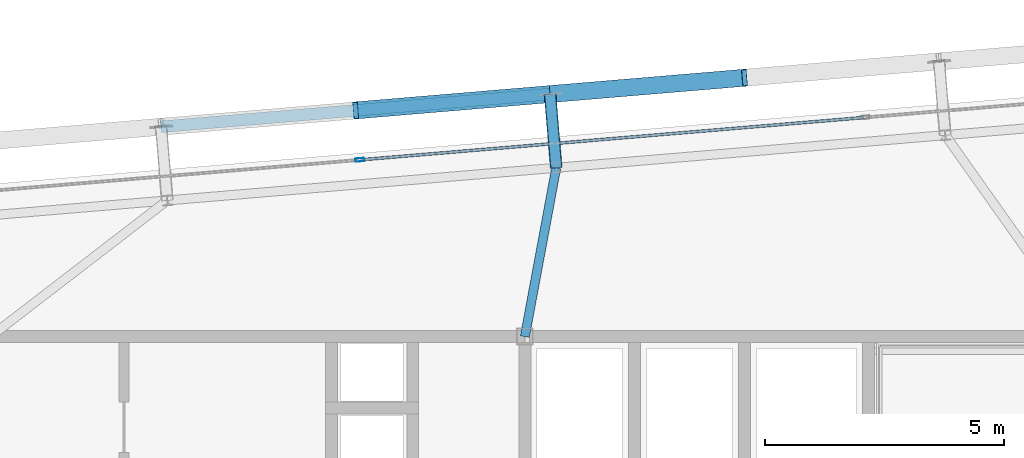
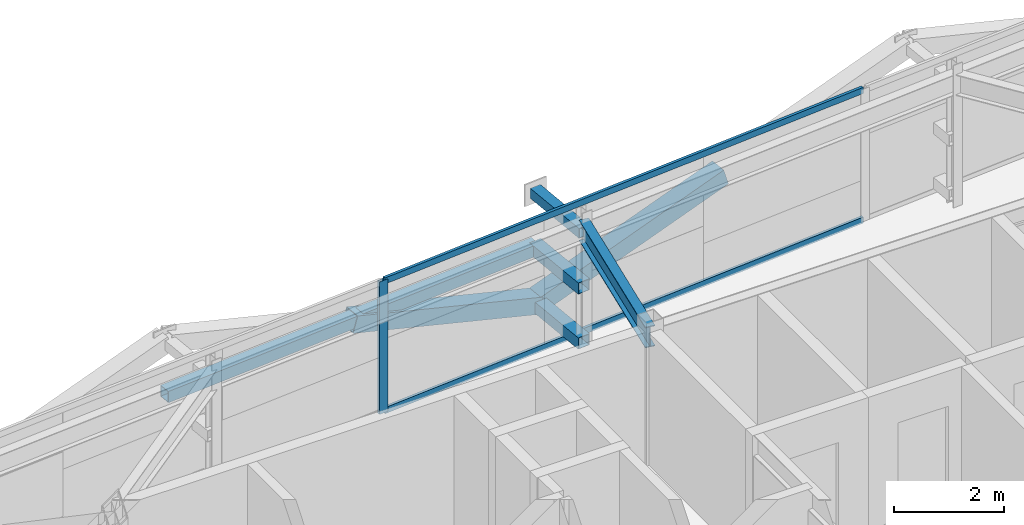
# One storey, part 23 of 37: 9 members, 1 beam, 1 element without a shape of its own.
"""IFC4 building model written with IfcOpenShell, lengths in metres."""

from ifc_helpers import new_model, si_unit, direction, frame, origin, origin_2d, place, context, subcontext, project, spatial, hollow_rectangle, i_section, extrude, source, transform, mapped, material, layer, layer_set, material_profile, profile_set, type_object, element, aggregate, save


model = new_model("IFC4")

# Units and contexts
model_context = context("Model", 3, precision=1e-05, world=origin(), true_north=direction((0.0, 1.0)))
body_context = subcontext(model_context, "Body", "Model", "MODEL_VIEW")
ifc_project = project(units=[si_unit("LENGTHUNIT", "METRE"), si_unit("AREAUNIT", "SQUARE_METRE"), si_unit("VOLUMEUNIT", "CUBIC_METRE"), si_unit("PLANEANGLEUNIT", "RADIAN"), si_unit("MASSUNIT", "GRAM", prefix="KILO")], contexts=[model_context])

# Site, building, storey
site_placement = place(None, origin())
site = spatial("IfcSite", under=ifc_project, at=site_placement, CompositionType="ELEMENT")
building_placement = place(site_placement, origin())
building = spatial("IfcBuilding", under=site, at=building_placement, Name="Taldren Reach Tower", CompositionType="ELEMENT")
storey_placement = place(building_placement, frame((0.0, 0.0, 182.0)))
storey = spatial("IfcBuildingStorey", under=building, at=storey_placement, Name="L55", CompositionType="ELEMENT", Elevation=182.0)

# Members
ifc_material_1 = material(Name="Steel Gr 350 (C350L0)", Category="steel")
ifc_material_profile_1 = material_profile(ifc_material_1, hollow_rectangle(XDim=0.25, YDim=0.25, WallThickness=0.010009765625, at=origin_2d()), Name="250x250x10.0SHS")
ifc_profile_set_1 = profile_set([ifc_material_profile_1], Name="Steel Gr 350 (C350L0)")
member_type_1 = type_object("IfcMemberType", Name="MB-POST250", PredefinedType="POST", material=ifc_profile_set_1)
shared_shape_1 = source(origin(), body_context, "Body", "SweptSolid", [
    extrude(hollow_rectangle(XDim=0.25, YDim=0.25, WallThickness=0.010009765625, at=origin_2d()), origin(), (0.0, 0.0, 1.0), 1.5498046875),
])
for number, where, z_axis, x_axis, name in (
    (1, (39.857666015625, 35.537109375, 0.219970703125), (-0.083645141657, 0.996495604746, 0.0), (-0.996495604746, -0.083645141657, 0.0), "Exoskeleton base diaphragm tie strut B4-N4 L55"),
    (2, (39.857666015625, 35.537109375, 1.43505859375), (-0.083645141657, 0.996495604746, 0.0), (-0.996495604746, -0.083645141657, 0.0), "Exoskeleton mid-tier diaphragm tie B4-N4 L55"),
):
    element("IfcMember", number, at=place(storey_placement, frame(where, z_axis=z_axis, x_axis=x_axis)), inside=storey, type_object=member_type_1, Name=name, PredefinedType="POST", context=body_context, shape_type="MappedRepresentation", body=[
        mapped(shared_shape_1, transform((0.0, 0.0, 0.0), scale=1.0)),
    ])

# Beam
ifc_material_2 = material(Name="Steel Gr 350 (350PLUS)", Category="steel")
ifc_material_profile_2 = material_profile(ifc_material_2, i_section(OverallWidth=0.19091796875, OverallDepth=0.4599609375, WebThickness=0.010009765625, FlangeThickness=0.01611328125, at=origin_2d()), Name="460UB82.1")
ifc_profile_set_2 = profile_set([ifc_material_profile_2], Name="Steel Gr 350 (350PLUS)")
beam_type = type_object("IfcBeamType", Name="BM-UB460A", PredefinedType="BEAM", material=ifc_profile_set_2)
shared_shape_2 = source(origin(), body_context, "Body", "SweptSolid", [
    extrude(i_section(OverallWidth=0.19091796875, OverallDepth=0.4599609375, WebThickness=0.010009765625, FlangeThickness=0.01611328125, at=origin_2d()), origin(), (0.0, 0.0, 1.0), 3.59765625),
])
beam_placement = place(storey_placement, frame((39.199951171875, 32.0, 2.699951171875), z_axis=(0.182813344882, 0.983147639438, 0.0), x_axis=(-0.983147639438, 0.182813344882, 0.0)))
element("IfcBeam", 3, at=beam_placement, inside=storey, type_object=beam_type, Name="Primary floor girder B4-N4 L55", PredefinedType="BEAM", context=body_context, shape_type="MappedRepresentation", body=[
    mapped(shared_shape_2, transform((0.0, 0.0, 0.0), scale=1.0)),
])

# Members
ifc_material_3 = material(Name="Steel Gr 450 (C450L0)", Category="steel")
ifc_material_profile_3 = material_profile(ifc_material_3, hollow_rectangle(XDim=0.219970703125, YDim=0.219970703125, WallThickness=0.00830078125, at=origin_2d()), Name="220x220x8.2SHS")
ifc_profile_set_3 = profile_set([ifc_material_profile_3], Name="Steel Gr 450 (C450L0)")
member_type_2 = type_object("IfcMemberType", Name="MB-TIE219", PredefinedType="STRUT", material=ifc_profile_set_3)
shared_shape_3 = source(origin(), body_context, "Body", "SweptSolid", [
    extrude(hollow_rectangle(XDim=0.219970703125, YDim=0.219970703125, WallThickness=0.00830078125, at=origin_2d()), origin(), (0.0, 0.0, 1.0), 1.5498046875),
])
member_1_placement = place(storey_placement, frame((39.857666015625, 35.537109375, 2.64990234375), z_axis=(-0.083645141657, 0.996495604746, 0.0), x_axis=(-0.996495604746, -0.083645141657, 0.0)))
element("IfcMember", 4, at=member_1_placement, inside=storey, type_object=member_type_2, Name="Exoskeleton diaphragm tie strut B4-N4 L55", PredefinedType="STRUT", context=body_context, shape_type="MappedRepresentation", body=[
    mapped(shared_shape_3, transform((0.0, 0.0, 0.0), scale=1.0)),
])
shared_shape_4 = source(origin(), body_context, "Body", "SweptSolid", [
    extrude(hollow_rectangle(XDim=0.25, YDim=0.25, WallThickness=0.010009765625, at=origin_2d()), origin(), (0.0, 0.0, 1.0), 8.18017578125),
])
member_2_placement = place(storey_placement, frame((31.57666015625, 36.39697265625, 1.43505859375), z_axis=(0.996492034688, 0.083687662192, 0.0), x_axis=(-0.083687662192, 0.996492034688, 0.0)))
element("IfcMember", 5, at=member_2_placement, inside=storey, type_object=member_type_1, Name="Exoskeleton mid-height ring chord B4-N3 L55", PredefinedType="POST", context=body_context, shape_type="MappedRepresentation", body=[
    mapped(shared_shape_4, transform((0.0, 0.0, 0.0), scale=1.0)),
])
ifc_material_profile_4 = material_profile(ifc_material_3, hollow_rectangle(XDim=0.360107421875, YDim=0.360107421875, WallThickness=0.0126953125, at=origin_2d()), Name="360x360x12.7SHS")
ifc_profile_set_4 = profile_set([ifc_material_profile_4], Name="Steel Gr 450 (C450L0)")
member_type_3 = type_object("IfcMemberType", Name="MB-EXO356", PredefinedType="BRACE", material=ifc_profile_set_4)
shared_shape_5 = source(origin(), body_context, "Body", "SweptSolid", [
    extrude(hollow_rectangle(XDim=0.360107421875, YDim=0.360107421875, WallThickness=0.0126953125, at=origin_2d()), origin(), (0.0, 0.0, 1.0), 4.2666015625),
])
for number, where, z_axis, x_axis, name in (
    (6, (39.72802734375, 37.08154296875, 0.219970703125), (-0.955229159097, -0.080222312271, 0.284783486572), (0.083687662192, -0.996492034688, 0.0), "Exoskeleton Diagrid Brace B4-N3 L55"),
    (7, (39.72802734375, 37.08154296875, 0.219970703125), (0.955229159097, 0.080222312271, 0.284783486572), (-0.083687662192, 0.996492034688, 0.0), "Exoskeleton Diagrid Brace B4-N4 L55"),
):
    element("IfcMember", number, at=place(storey_placement, frame(where, z_axis=z_axis, x_axis=x_axis)), inside=storey, type_object=member_type_3, Name=name, PredefinedType="BRACE", context=body_context, shape_type="MappedRepresentation", body=[
        mapped(shared_shape_5, transform((0.0, 0.0, 0.0), scale=1.0)),
    ])

# Curtain wall, members
ifc_material_4 = material(Name="Aluminium and Low-E Glass Unitised System", Category="aluminium")
ifc_layer = layer(ifc_material_4, 0.159912109375)
ifc_layer_set = layer_set([ifc_layer], Name="Aluminium and Low-E Glass Unitised System")
curtain_wall_type = type_object("IfcCurtainWallType", Name="CW-SYS-5", PredefinedType="NOTDEFINED", material=ifc_layer_set)
curtain_wall_placement = place(storey_placement, origin())
curtain_wall = element("IfcCurtainWall", 8, at=curtain_wall_placement, inside=storey, type_object=curtain_wall_type, Name="Unitised curtain wall CW-L55-N", PredefinedType="NOTDEFINED")
ifc_material_5 = material(Name="Anodised Aluminium 6063-T6", Category="aluminium")
ifc_material_profile_5 = material_profile(ifc_material_5, hollow_rectangle(XDim=0.070068359375, YDim=0.179931640625, WallThickness=0.00390625, at=origin_2d()), Name="ALU-180x70x4RHS")
ifc_profile_set_5 = profile_set([ifc_material_profile_5], Name="Anodised Aluminium 6063-T6")
member_type_4 = type_object("IfcMemberType", Name="CW-MUL-180", PredefinedType="MULLION", material=ifc_profile_set_5)
shared_shape_6 = source(origin(), body_context, "Body", "SweptSolid", [
    extrude(hollow_rectangle(XDim=0.070068359375, YDim=0.179931640625, WallThickness=0.00390625, at=origin_2d()), origin(), (0.0, 0.0, 1.0), 2.929931640625),
])
member_3_placement = place(storey_placement, frame((35.739501953125, 35.702880859375, 0.0), z_axis=(0.0, 0.0, 1.0), x_axis=(0.083677875247, -0.99649285657, 0.0)))
member_3 = element("IfcMember", 9, at=member_3_placement, type_object=member_type_4, Name="CW-5 mullion 3", PredefinedType="MULLION", context=body_context, shape_type="MappedRepresentation", body=[
    mapped(shared_shape_6, transform((0.0, 0.0, 0.0), scale=1.0)),
])
ifc_material_profile_6 = material_profile(ifc_material_5, hollow_rectangle(XDim=0.06005859375, YDim=0.135009765625, WallThickness=0.00341796875, at=origin_2d()), Name="ALU-135x60x3.5RHS")
ifc_profile_set_6 = profile_set([ifc_material_profile_6], Name="Anodised Aluminium 6063-T6")
member_type_5 = type_object("IfcMemberType", Name="CW-TRN-150", PredefinedType="USERDEFINED", material=ifc_profile_set_6)
shared_shape_7 = source(origin(), body_context, "Body", "SweptSolid", [
    extrude(hollow_rectangle(XDim=0.06005859375, YDim=0.135009765625, WallThickness=0.00341796875, at=origin_2d()), origin(), (0.0, 0.0, 1.0), 10.55517578125),
])
member_4_placement = place(storey_placement, frame((46.292236328125, 36.589111328125, 0.030029296875), z_axis=(-0.996492274094, -0.083684811468, 0.0), x_axis=(0.083684811468, -0.996492274094, 0.0)))
member_4 = element("IfcMember", 10, at=member_4_placement, type_object=member_type_5, Name="CW-5 transom 2.1", ObjectType="TRANSOM", PredefinedType="USERDEFINED", context=body_context, shape_type="MappedRepresentation", body=[
    mapped(shared_shape_7, transform((0.0, 0.0, 0.0), scale=1.0)),
])
member_5_placement = place(storey_placement, frame((46.292236328125, 36.589111328125, 2.89990234375), z_axis=(-0.996492274094, -0.083684811468, 0.0), x_axis=(0.083684811468, -0.996492274094, 0.0)))
member_5 = element("IfcMember", 11, at=member_5_placement, type_object=member_type_5, Name="CW-5 transom 2.2", ObjectType="TRANSOM", PredefinedType="USERDEFINED", context=body_context, shape_type="MappedRepresentation", body=[
    mapped(shared_shape_7, transform((0.0, 0.0, 0.0), scale=1.0)),
])
aggregate(curtain_wall, [member_3, member_4, member_5])

save(model, "model.ifc")
